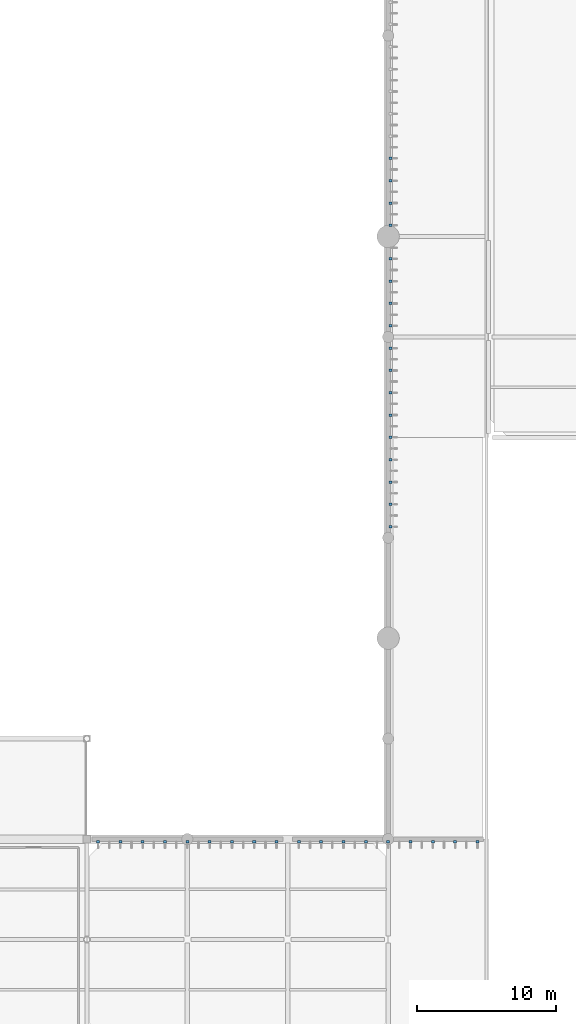
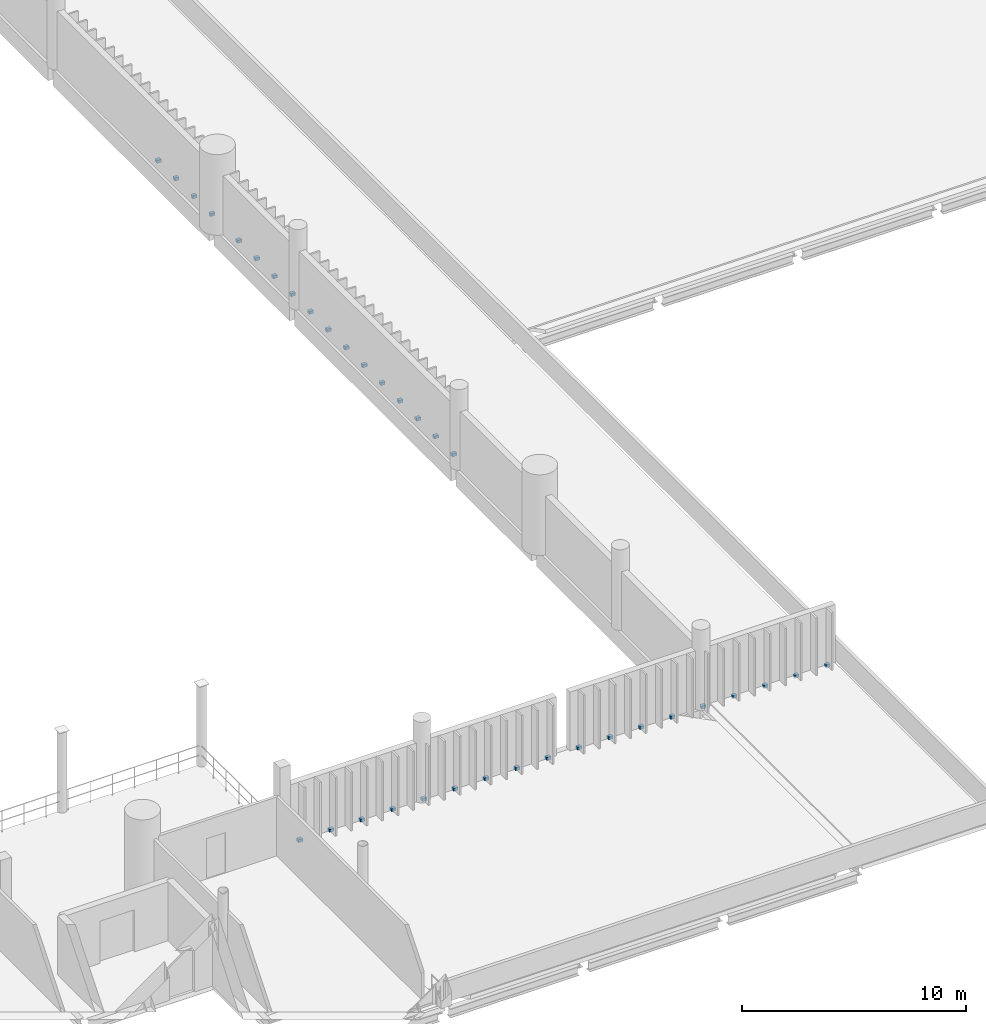
# One storey, part 64 of 81: 35 discrete accessories.
"""IFC4 building model written with IfcOpenShell, lengths in metres."""

from ifc_helpers import new_model, si_unit, direction, frame, origin, origin_2d, place, context, subcontext, project, spatial, rectangle, extrude, material, type_object, element, save


model = new_model("IFC4")

# Units and contexts
model_context = context("Model", 3, precision=1e-05, world=origin(), true_north=direction((0.0, 1.0)))
body_context = subcontext(model_context, "Body", "Model", "MODEL_VIEW")
ifc_project = project(units=[si_unit("LENGTHUNIT", "METRE"), si_unit("AREAUNIT", "SQUARE_METRE"), si_unit("VOLUMEUNIT", "CUBIC_METRE"), si_unit("PLANEANGLEUNIT", "RADIAN"), si_unit("MASSUNIT", "GRAM", prefix="KILO")], contexts=[model_context])

# Site, building, storey
site_placement = place(None, origin())
site = spatial("IfcSite", under=ifc_project, at=site_placement, CompositionType="ELEMENT")
building_placement = place(site_placement, origin())
building = spatial("IfcBuilding", under=site, at=building_placement, Name="Qandorah Velis Arena", CompositionType="ELEMENT")
storey_placement = place(building_placement, frame((0.0, 0.0, 18.60009765625)))
storey = spatial("IfcBuildingStorey", under=building, at=storey_placement, Name="L04", CompositionType="ELEMENT", Elevation=18.60009765625)

# Discrete accessories
ifc_material = material(Name="Stainless steel 316", Category="steel")
discrete_accessory_type = type_object("IfcDiscreteAccessoryType", Name="ARC-ACC-BRK", PredefinedType="BRACKET", material=ifc_material)
for number, where, z_axis, x_axis, name in (
    (1, (115.3798828125, 36.800048828125, -0.01025390625), (0.0, 0.0, 1.0), (1.0, 0.0, 0.0), "Solar fin mounting bracket BRK-0001"),
    (2, (115.3798828125, 38.39990234375, -0.01025390625), (0.0, 0.0, 1.0), (1.0, 0.0, 0.0), "Solar fin mounting bracket BRK-0002"),
    (3, (115.3798828125, 40.0, -0.01025390625), (0.0, 0.0, 1.0), (1.0, 0.0, 0.0), "Solar fin mounting bracket BRK-0003"),
    (4, (115.3798828125, 41.60009765625, -0.01025390625), (0.0, 0.0, 1.0), (1.0, 0.0, 0.0), "Solar fin mounting bracket BRK-0004"),
    (5, (115.3798828125, 43.199951171875, -0.01025390625), (0.0, 0.0, 1.0), (1.0, 0.0, 0.0), "Solar fin mounting bracket BRK-0005"),
    (6, (115.3798828125, 44.800048828125, -0.01025390625), (0.0, 0.0, 1.0), (1.0, 0.0, 0.0), "Solar fin mounting bracket BRK-0006"),
    (7, (115.3798828125, 46.39990234375, -0.01025390625), (0.0, 0.0, 1.0), (1.0, 0.0, 0.0), "Solar fin mounting bracket BRK-0007"),
    (8, (115.3798828125, 48.0, -0.01025390625), (0.0, 0.0, 1.0), (1.0, 0.0, 0.0), "Solar fin mounting bracket BRK-0008"),
    (9, (115.3798828125, 49.60009765625, -0.01025390625), (0.0, 0.0, 1.0), (1.0, 0.0, 0.0), "Solar fin mounting bracket BRK-0009"),
    (10, (115.3798828125, 51.199951171875, -0.01025390625), (0.0, 0.0, 1.0), (1.0, 0.0, 0.0), "Solar fin mounting bracket BRK-0019"),
    (11, (115.3798828125, 52.800048828125, -0.01025390625), (0.0, 0.0, 1.0), (1.0, 0.0, 0.0), "Solar fin mounting bracket BRK-0020"),
    (12, (115.3798828125, 54.39990234375, -0.01025390625), (0.0, 0.0, 1.0), (1.0, 0.0, 0.0), "Solar fin mounting bracket BRK-0021"),
    (13, (115.3798828125, 56.0, -0.01025390625), (0.0, 0.0, 1.0), (1.0, 0.0, 0.0), "Solar fin mounting bracket BRK-0022"),
    (14, (115.3798828125, 58.39990234375, -0.01025390625), (0.0, 0.0, 1.0), (1.0, 0.0, 0.0), "Solar fin mounting bracket BRK-0027"),
    (15, (115.3798828125, 60.0, -0.01025390625), (0.0, 0.0, 1.0), (1.0, 0.0, 0.0), "Solar fin mounting bracket BRK-0028"),
    (16, (115.3798828125, 61.60009765625, -0.01025390625), (0.0, 0.0, 1.0), (1.0, 0.0, 0.0), "Solar fin mounting bracket BRK-0029"),
    (17, (115.3798828125, 63.199951171875, -0.01025390625), (0.0, 0.0, 1.0), (1.0, 0.0, 0.0), "Solar fin mounting bracket BRK-0030"),
    (18, (94.39990234375, 14.219970703125, -0.01025390625), (0.0, 0.0, 1.0), (1.0, 0.0, 0.0), "Solar fin mounting bracket BRK-0099"),
    (19, (96.0, 14.219970703125, -0.01025390625), (0.0, 0.0, 1.0), (1.0, 0.0, 0.0), "Solar fin mounting bracket BRK-0100"),
    (20, (97.60009765625, 14.219970703125, -0.01025390625), (0.0, 0.0, 1.0), (1.0, 0.0, 0.0), "Solar fin mounting bracket BRK-0101"),
    (21, (99.199951171875, 14.219970703125, -0.01025390625), (0.0, 0.0, 1.0), (1.0, 0.0, 0.0), "Solar fin mounting bracket BRK-0102"),
    (22, (100.800048828125, 14.219970703125, -0.01025390625), (0.0, 0.0, 1.0), (1.0, 0.0, 0.0), "Solar fin mounting bracket BRK-0103"),
    (23, (102.39990234375, 14.219970703125, -0.01025390625), (0.0, 0.0, 1.0), (1.0, 0.0, 0.0), "Solar fin mounting bracket BRK-0104"),
    (24, (104.0, 14.219970703125, -0.01025390625), (0.0, 0.0, 1.0), (1.0, 0.0, 0.0), "Solar fin mounting bracket BRK-0105"),
    (25, (105.60009765625, 14.219970703125, -0.01025390625), (0.0, 0.0, 1.0), (1.0, 0.0, 0.0), "Solar fin mounting bracket BRK-0106"),
    (26, (107.199951171875, 14.219970703125, -0.01025390625), (0.0, 0.0, 1.0), (1.0, 0.0, 0.0), "Solar fin mounting bracket BRK-0107"),
    (27, (108.800048828125, 14.219970703125, -0.01025390625), (0.0, 0.0, 1.0), (1.0, 0.0, 0.0), "Solar fin mounting bracket BRK-0117"),
    (28, (110.39990234375, 14.219970703125, -0.01025390625), (0.0, 0.0, 1.0), (1.0, 0.0, 0.0), "Solar fin mounting bracket BRK-0118"),
    (29, (112.0, 14.219970703125, -0.01025390625), (0.0, 0.0, 1.0), (1.0, 0.0, 0.0), "Solar fin mounting bracket BRK-0119"),
    (30, (113.60009765625, 14.219970703125, -0.01025390625), (0.0, 0.0, 1.0), (1.0, 0.0, 0.0), "Solar fin mounting bracket BRK-0120"),
    (31, (115.199951171875, 14.219970703125, -0.01025390625), (0.0, 0.0, 1.0), (1.0, 0.0, 0.0), "Solar fin mounting bracket BRK-0121"),
    (32, (116.800048828125, 14.219970703125, -0.01025390625), (0.0, 0.0, 1.0), (1.0, 0.0, 0.0), "Solar fin mounting bracket BRK-0122"),
    (33, (118.39990234375, 14.219970703125, -0.01025390625), (0.0, 0.0, 1.0), (1.0, 0.0, 0.0), "Solar fin mounting bracket BRK-0123"),
    (34, (120.0, 14.219970703125, -0.01025390625), (0.0, 0.0, 1.0), (1.0, 0.0, 0.0), "Solar fin mounting bracket BRK-0124"),
    (35, (121.60009765625, 14.219970703125, -0.01025390625), (0.0, 0.0, 1.0), (1.0, 0.0, 0.0), "Solar fin mounting bracket BRK-0125"),
):
    element("IfcDiscreteAccessory", number, at=place(storey_placement, frame(where, z_axis=z_axis, x_axis=x_axis)), inside=storey, type_object=discrete_accessory_type, Name=name, PredefinedType="BRACKET", context=body_context, shape_type="SweptSolid", body=[
        extrude(rectangle(XDim=0.219970703125, YDim=0.179931640625, at=origin_2d()), origin(), (0.0, 0.0, 1.0), 0.159912109375),
    ])

save(model, "model.ifc")
